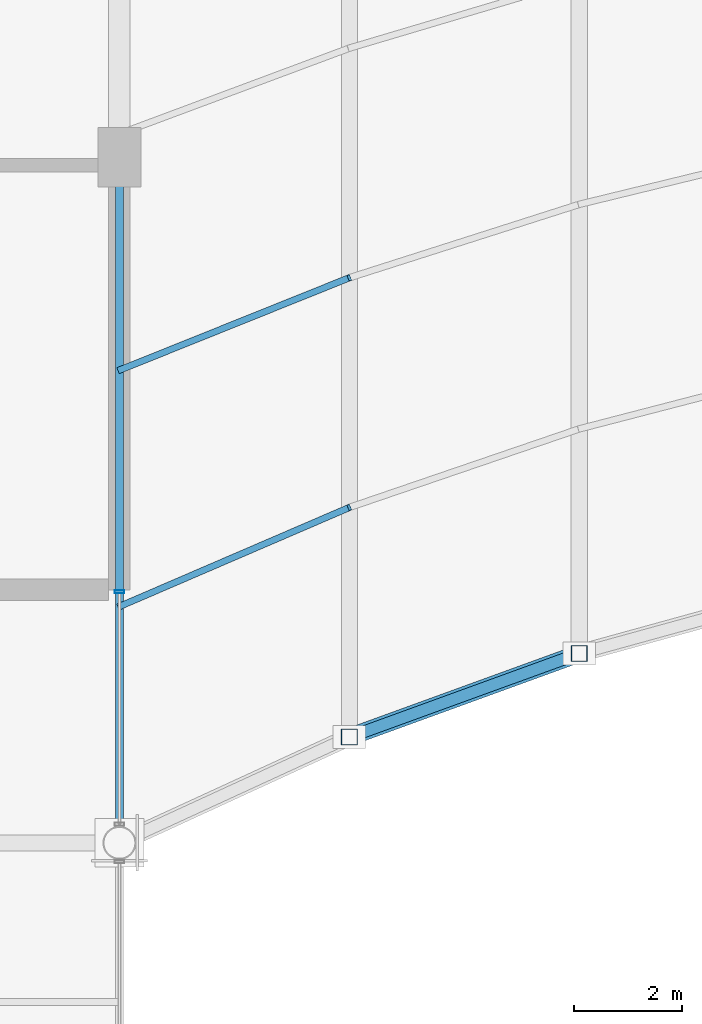
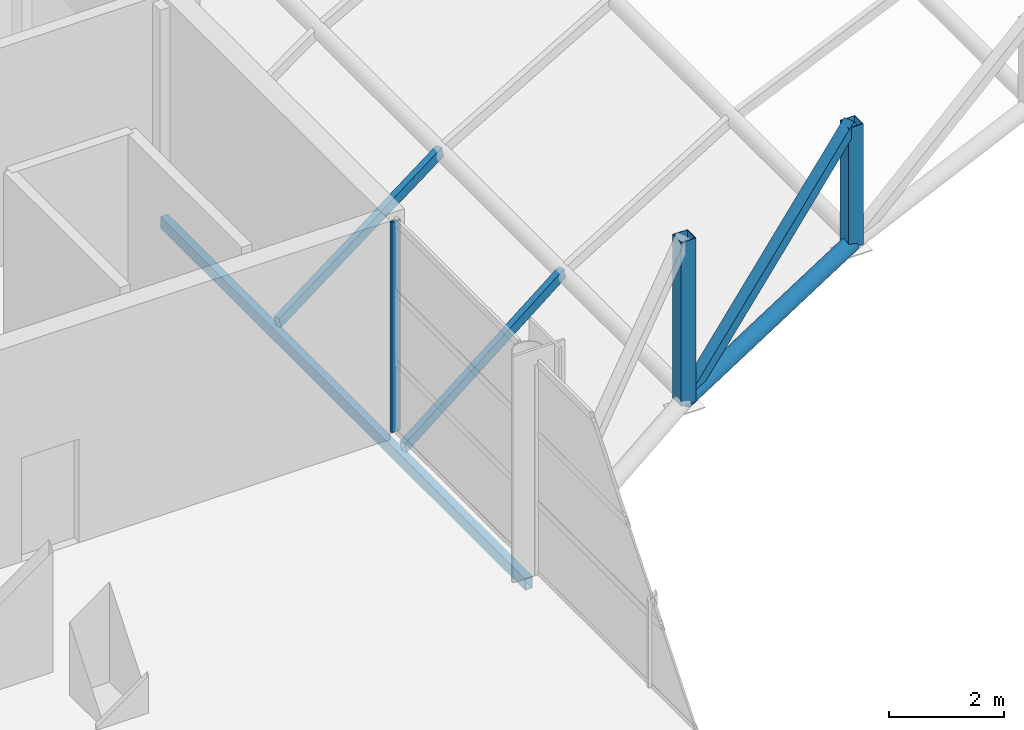
# One storey, part 27 of 101: 7 members, 1 beam, 1 element without a shape of its own.
"""IFC4 building model written with IfcOpenShell, lengths in metres."""

from ifc_helpers import new_model, si_unit, direction, frame, origin, origin_2d, place, context, subcontext, project, spatial, hollow_rectangle, hollow_circle, extrude, material, material_profile, profile_set, type_object, element, aggregate, save


model = new_model("IFC4")

# Units and contexts
model_context = context("Model", 3, precision=1e-05, world=origin(), true_north=direction((0.0, 1.0)))
body_context = subcontext(model_context, "Body", "Model", "MODEL_VIEW")
ifc_project = project(units=[si_unit("LENGTHUNIT", "METRE"), si_unit("AREAUNIT", "SQUARE_METRE"), si_unit("VOLUMEUNIT", "CUBIC_METRE"), si_unit("PLANEANGLEUNIT", "RADIAN"), si_unit("MASSUNIT", "GRAM", prefix="KILO")], contexts=[model_context])

# Site, building, storey
site_placement = place(None, origin())
site = spatial("IfcSite", under=ifc_project, at=site_placement, CompositionType="ELEMENT")
building_placement = place(site_placement, origin())
building = spatial("IfcBuilding", under=site, at=building_placement, Name="Solvikara Media Centre", CompositionType="ELEMENT")
storey_placement = place(building_placement, frame((0.0, 0.0, 10.199951171875)))
storey = spatial("IfcBuildingStorey", under=building, at=storey_placement, Name="L02", CompositionType="ELEMENT", Elevation=10.199951171875)

# Beam
ifc_material_1 = material(Name="Steel S355JR", Category="steel")
ifc_material_profile_1 = material_profile(ifc_material_1, hollow_rectangle(XDim=0.14990234375, YDim=0.25, WallThickness=0.008056640625, at=origin_2d()), Name="RHS 250x150x8")
ifc_profile_set_1 = profile_set([ifc_material_profile_1], Name="Steel S355JR")
beam_type = type_object("IfcBeamType", Name="BM-36", PredefinedType="JOIST", material=ifc_profile_set_1)
beam_placement = place(storey_placement, frame((76.5, 19.323974609375, -0.406982421875), z_axis=(0.0, 1.0, 0.0), x_axis=(-1.0, 0.0, 0.0)))
element("IfcBeam", 1, at=beam_placement, inside=storey, type_object=beam_type, Name="B-L02-Y0972", PredefinedType="JOIST", context=body_context, shape_type="SweptSolid", body=[
    extrude(hollow_rectangle(XDim=0.14990234375, YDim=0.25, WallThickness=0.008056640625, at=origin_2d()), origin(), (0.0, 0.0, 1.0), 12.676025390625),
])

# Members
ifc_material_profile_2 = material_profile(ifc_material_1, hollow_circle(Radius=0.161865234375, WallThickness=0.012451171875, at=origin_2d()), Name="CHS 323.9x12.5")
ifc_profile_set_2 = profile_set([ifc_material_profile_2], Name="Steel S355JR")
member_type_1 = type_object("IfcMemberType", Name="MB-02", PredefinedType="CHORD", material=ifc_profile_set_2)
member_1_placement = place(storey_placement, frame((80.75, 21.279052734375, 0.81494140625), z_axis=(0.921239201685, 0.334880610539, 0.197922484737), x_axis=(-0.341639024821, 0.939831249065, 0.0)))
element("IfcMember", 2, at=member_1_placement, inside=storey, type_object=member_type_1, Name="ARC-S-CH-01", PredefinedType="CHORD", context=body_context, shape_type="SweptSolid", body=[
    extrude(hollow_circle(Radius=0.161865234375, WallThickness=0.012451171875, at=origin_2d()), origin(), (0.0, 0.0, 1.0), 4.61328125),
])
ifc_material_profile_3 = material_profile(ifc_material_1, hollow_rectangle(XDim=0.300048828125, YDim=0.300048828125, WallThickness=0.012451171875, at=origin_2d()), Name="RHS 300x300x12.5")
ifc_profile_set_3 = profile_set([ifc_material_profile_3], Name="Steel S355JR")
member_type_2 = type_object("IfcMemberType", Name="MB-11", PredefinedType="CHORD", material=ifc_profile_set_3)
member_2_placement = place(storey_placement, frame((80.75, 21.279052734375, 0.81494140625), z_axis=(0.0, 0.0, 1.0), x_axis=(1.0, 0.0, 0.0)))
element("IfcMember", 3, at=member_2_placement, inside=storey, type_object=member_type_2, Name="ARC-S-VT-01", PredefinedType="CHORD", context=body_context, shape_type="SweptSolid", body=[
    extrude(hollow_rectangle(XDim=0.300048828125, YDim=0.300048828125, WallThickness=0.012451171875, at=origin_2d()), origin(), (0.0, 0.0, 1.0), 3.47509765625),
])
member_3_placement = place(storey_placement, frame((85.0, 22.823974609375, 1.72802734375), z_axis=(0.0, 0.0, 1.0), x_axis=(1.0, 0.0, 0.0)))
element("IfcMember", 4, at=member_3_placement, inside=storey, type_object=member_type_2, Name="ARC-S-VT-02", PredefinedType="CHORD", context=body_context, shape_type="SweptSolid", body=[
    extrude(hollow_rectangle(XDim=0.300048828125, YDim=0.300048828125, WallThickness=0.012451171875, at=origin_2d()), origin(), (0.0, 0.0, 1.0), 2.56201171875),
])
ifc_material_profile_4 = material_profile(ifc_material_1, hollow_rectangle(XDim=0.1201171875, YDim=0.219970703125, WallThickness=0.00634765625, at=origin_2d()), Name="RHS 220x120x6.3")
ifc_profile_set_4 = profile_set([ifc_material_profile_4], Name="Steel S355JR")
member_type_3 = type_object("IfcMemberType", Name="MB-16", PredefinedType="PURLIN", material=ifc_profile_set_4)
member_4_placement = place(storey_placement, frame((76.5, 23.693115234375, -0.159912109375), z_axis=(0.892857724472, 0.384624315017, 0.234241798464), x_axis=(-0.395631426851, 0.918409371733, 0.0)))
element("IfcMember", 5, at=member_4_placement, inside=storey, type_object=member_type_3, Name="ARC-PRL-00-25", PredefinedType="PURLIN", context=body_context, shape_type="SweptSolid", body=[
    extrude(hollow_rectangle(XDim=0.1201171875, YDim=0.219970703125, WallThickness=0.00634765625, at=origin_2d()), origin(), (0.0, 0.0, 1.0), 4.760009765625),
])
member_5_placement = place(storey_placement, frame((76.5, 28.06201171875, -0.159912109375), z_axis=(0.901545492631, 0.362316881115, 0.23652104003), x_axis=(-0.37289733308, 0.927872609242, 0.0)))
element("IfcMember", 6, at=member_5_placement, inside=storey, type_object=member_type_3, Name="ARC-PRL-00-50", PredefinedType="PURLIN", context=body_context, shape_type="SweptSolid", body=[
    extrude(hollow_rectangle(XDim=0.1201171875, YDim=0.219970703125, WallThickness=0.00634765625, at=origin_2d()), origin(), (0.0, 0.0, 1.0), 4.714111328125),
])
ifc_material_profile_5 = material_profile(ifc_material_1, hollow_rectangle(XDim=0.219970703125, YDim=0.219970703125, WallThickness=0.010009765625, at=origin_2d()), Name="RHS 220x220x10")
ifc_profile_set_5 = profile_set([ifc_material_profile_5], Name="Steel S355JR")
member_type_4 = type_object("IfcMemberType", Name="MB-30", PredefinedType="BRACE", material=ifc_profile_set_5)
member_6_placement = place(storey_placement, frame((80.75, 21.279052734375, 0.81494140625), z_axis=(0.74520602297, 0.270890608534, 0.609332636199), x_axis=(-0.341639024821, 0.939831249065, 0.0)))
element("IfcMember", 7, at=member_6_placement, inside=storey, type_object=member_type_4, Name="ARC-S-DG-01", PredefinedType="BRACE", context=body_context, shape_type="SweptSolid", body=[
    extrude(hollow_rectangle(XDim=0.219970703125, YDim=0.219970703125, WallThickness=0.010009765625, at=origin_2d()), origin(), (0.0, 0.0, 1.0), 5.703125),
])

# Curtain wall, member
ifc_material_2 = material(Name="Anodised aluminium EN AW-6063", Category="aluminium")
curtain_wall_type = type_object("IfcCurtainWallType", Name="CW-16", PredefinedType="NOTDEFINED", material=ifc_material_2)
curtain_wall_placement = place(storey_placement, origin())
curtain_wall = element("IfcCurtainWall", 8, at=curtain_wall_placement, inside=storey, type_object=curtain_wall_type, Name="CW-L02-V6E-S3", PredefinedType="NOTDEFINED")
ifc_material_profile_6 = material_profile(ifc_material_2, hollow_rectangle(XDim=0.06005859375, YDim=0.179931640625, WallThickness=0.00341796875, at=origin_2d()), Name="ALU-M 60x180x3.5")
ifc_profile_set_6 = profile_set([ifc_material_profile_6], Name="Anodised aluminium EN AW-6063")
member_type_5 = type_object("IfcMemberType", Name="MF-03", PredefinedType="MULLION", material=ifc_profile_set_6)
member_7_placement = place(storey_placement, frame((76.5, 23.965087890625, 0.02001953125), z_axis=(0.0, 0.0, 1.0), x_axis=(0.0, 1.0, 0.0)))
member_7 = element("IfcMember", 9, at=member_7_placement, type_object=member_type_5, Name="CW-L02-V6E-S3-M01", PredefinedType="MULLION", context=body_context, shape_type="SweptSolid", body=[
    extrude(hollow_rectangle(XDim=0.06005859375, YDim=0.179931640625, WallThickness=0.00341796875, at=origin_2d()), origin(), (0.0, 0.0, 1.0), 4.4599609375),
])
aggregate(curtain_wall, [member_7])

save(model, "model.ifc")
